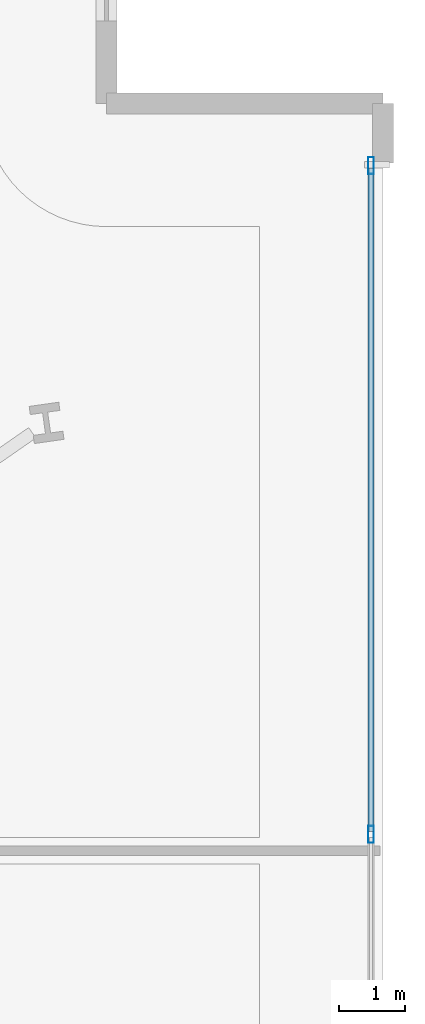
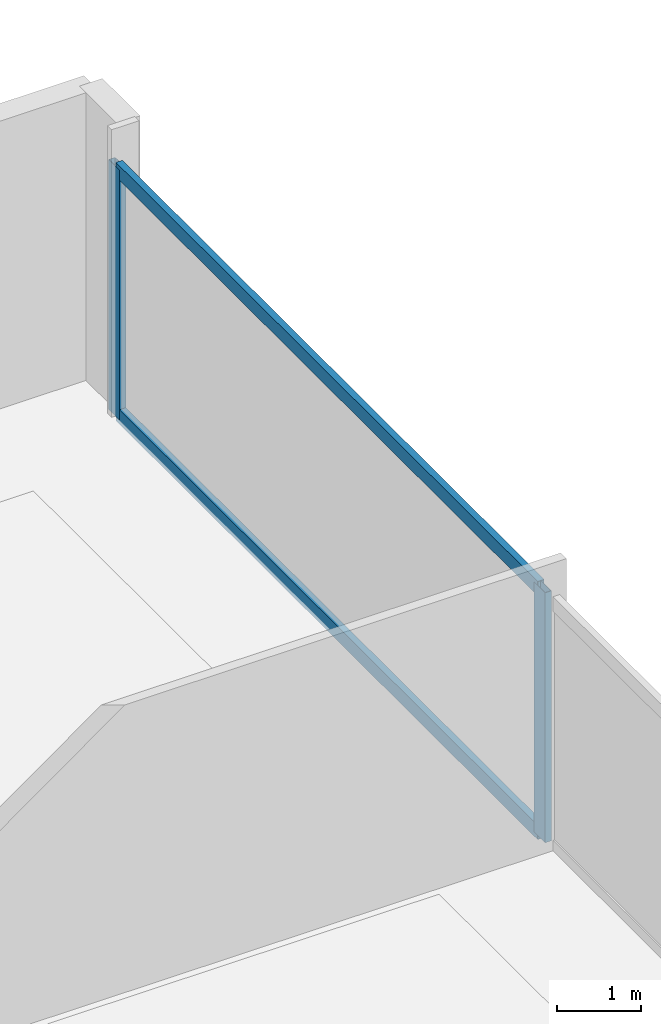
# One storey, part 16 of 29: 4 members, 1 element without a shape of its own.
"""IFC4 building model written with IfcOpenShell, lengths in metres."""

from ifc_helpers import new_model, si_unit, direction, frame, origin, origin_2d, place, context, subcontext, project, spatial, hollow_rectangle, extrude, material, material_profile, profile_set, type_object, element, aggregate, save


model = new_model("IFC4")

# Units and contexts
model_context = context("Model", 3, precision=1e-05, world=origin(), true_north=direction((0.0, 1.0)))
body_context = subcontext(model_context, "Body", "Model", "MODEL_VIEW")
ifc_project = project(units=[si_unit("LENGTHUNIT", "METRE"), si_unit("AREAUNIT", "SQUARE_METRE"), si_unit("VOLUMEUNIT", "CUBIC_METRE"), si_unit("PLANEANGLEUNIT", "RADIAN"), si_unit("MASSUNIT", "GRAM", prefix="KILO")], contexts=[model_context])

# Site, building, storey
site_placement = place(None, origin())
site = spatial("IfcSite", under=ifc_project, at=site_placement, CompositionType="ELEMENT")
building_placement = place(site_placement, origin())
building = spatial("IfcBuilding", under=site, at=building_placement, Name="Haldenkirk Collegiate Tower", CompositionType="ELEMENT")
storey_placement = place(building_placement, frame((0.0, 0.0, 28.199951171875)))
storey = spatial("IfcBuildingStorey", under=building, at=storey_placement, Name="L05", CompositionType="ELEMENT", Elevation=28.199951171875)

# Curtain wall, members
ifc_material = material(Name="Anodised architectural bronze aluminium", Category="aluminium")
curtain_wall_type = type_object("IfcCurtainWallType", Name="CW-SYS4-SKYGARDEN", PredefinedType="USERDEFINED", material=ifc_material)
curtain_wall_placement = place(storey_placement, origin())
curtain_wall = element("IfcCurtainWall", 1, at=curtain_wall_placement, inside=storey, type_object=curtain_wall_type, Name="L05 Sky-garden tall bronze curtain wall", ObjectType="UNITISED CURTAIN WALL", PredefinedType="USERDEFINED")
ifc_material_profile_1 = material_profile(ifc_material, hollow_rectangle(XDim=0.090087890625, YDim=0.260009765625, WallThickness=0.0048828125, at=origin_2d()), Name="CW-MUL-04")
ifc_profile_set_1 = profile_set([ifc_material_profile_1], Name="Anodised architectural bronze aluminium")
member_type_1 = type_object("IfcMemberType", Name="CW-MUL-04", PredefinedType="MULLION", material=ifc_profile_set_1)
member_1_placement = place(storey_placement, frame((62.820068359375, 46.85498046875, 0.0), z_axis=(0.0, 0.0, 1.0), x_axis=(1.0, 0.0, 0.0)))
member_1 = element("IfcMember", 2, at=member_1_placement, type_object=member_type_1, Name="CW-04 mullion 1", PredefinedType="MULLION", context=body_context, shape_type="SweptSolid", body=[
    extrude(hollow_rectangle(XDim=0.090087890625, YDim=0.260009765625, WallThickness=0.0048828125, at=origin_2d()), origin(), (0.0, 0.0, 1.0), 3.64111328125),
])
member_2_placement = place(storey_placement, frame((62.820068359375, 36.699951171875, 0.0), z_axis=(0.0, 0.0, 1.0), x_axis=(1.0, 0.0, 0.0)))
member_2 = element("IfcMember", 3, at=member_2_placement, type_object=member_type_1, Name="CW-04 mullion 2", PredefinedType="MULLION", context=body_context, shape_type="SweptSolid", body=[
    extrude(hollow_rectangle(XDim=0.090087890625, YDim=0.260009765625, WallThickness=0.0048828125, at=origin_2d()), origin(), (0.0, 0.0, 1.0), 3.64111328125),
])
ifc_material_profile_2 = material_profile(ifc_material, hollow_rectangle(XDim=0.090087890625, YDim=0.2099609375, WallThickness=0.0048828125, at=origin_2d()), Name="CW-TRN-04")
ifc_profile_set_2 = profile_set([ifc_material_profile_2], Name="Anodised architectural bronze aluminium")
member_type_2 = type_object("IfcMemberType", Name="CW-TRN-04", PredefinedType="USERDEFINED", material=ifc_profile_set_2)
member_3_placement = place(storey_placement, frame((62.820068359375, 46.81005859375, 0.045166015625), z_axis=(0.0, -1.0, 0.0), x_axis=(1.0, 0.0, 0.0)))
member_3 = element("IfcMember", 4, at=member_3_placement, type_object=member_type_2, Name="CW-04 transom 1.1", ObjectType="TRANSOM", PredefinedType="USERDEFINED", context=body_context, shape_type="SweptSolid", body=[
    extrude(hollow_rectangle(XDim=0.090087890625, YDim=0.2099609375, WallThickness=0.0048828125, at=origin_2d()), origin(), (0.0, 0.0, 1.0), 10.06494140625),
])
member_4_placement = place(storey_placement, frame((62.820068359375, 46.81005859375, 3.595947265625), z_axis=(0.0, -1.0, 0.0), x_axis=(1.0, 0.0, 0.0)))
member_4 = element("IfcMember", 5, at=member_4_placement, type_object=member_type_2, Name="CW-04 transom 1.2", ObjectType="TRANSOM", PredefinedType="USERDEFINED", context=body_context, shape_type="SweptSolid", body=[
    extrude(hollow_rectangle(XDim=0.090087890625, YDim=0.2099609375, WallThickness=0.0048828125, at=origin_2d()), origin(), (0.0, 0.0, 1.0), 10.06494140625),
])
aggregate(curtain_wall, [member_1, member_2, member_3, member_4])

save(model, "model.ifc")
